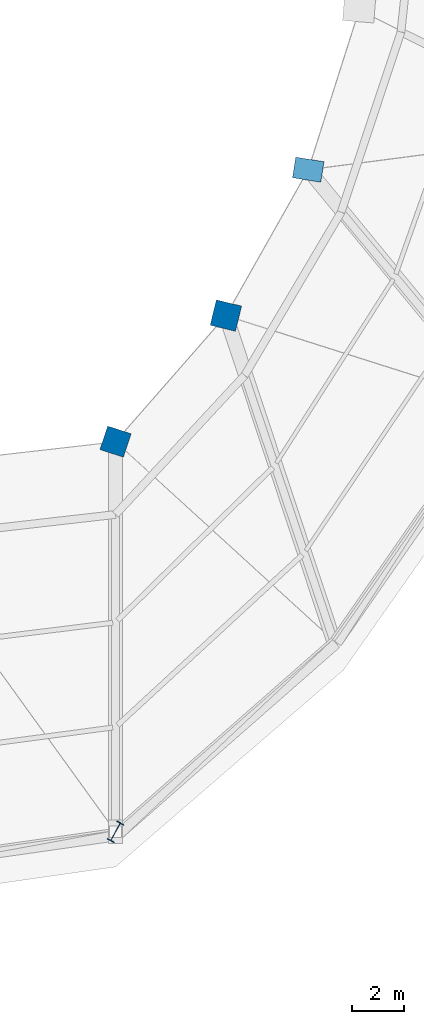
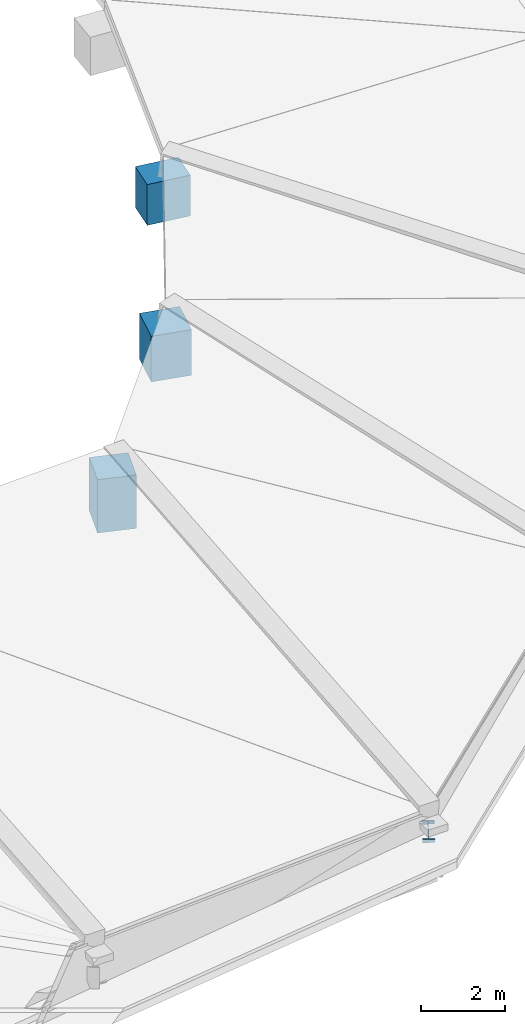
# One storey, part 5 of 67: 4 columns.
"""IFC4 building model written with IfcOpenShell, lengths in metres."""

from ifc_helpers import new_model, si_unit, direction, frame, origin, origin_2d, place, context, subcontext, project, spatial, rectangle, i_section, extrude, material, material_profile, profile_set, type_object, element, save


model = new_model("IFC4")

# Units and contexts
model_context = context("Model", 3, precision=1e-05, world=origin(), true_north=direction((0.0, 1.0)))
body_context = subcontext(model_context, "Body", "Model", "MODEL_VIEW")
ifc_project = project(units=[si_unit("LENGTHUNIT", "METRE"), si_unit("AREAUNIT", "SQUARE_METRE"), si_unit("VOLUMEUNIT", "CUBIC_METRE"), si_unit("PLANEANGLEUNIT", "RADIAN"), si_unit("MASSUNIT", "GRAM", prefix="KILO")], contexts=[model_context])

# Site, building, storey
site_placement = place(None, origin())
site = spatial("IfcSite", under=ifc_project, at=site_placement, CompositionType="ELEMENT")
building_placement = place(site_placement, origin())
building = spatial("IfcBuilding", under=site, at=building_placement, Name="Sohan Crest Arena", CompositionType="ELEMENT")
storey_placement = place(building_placement, frame((0.0, 0.0, 22.5)))
storey = spatial("IfcBuildingStorey", under=building, at=storey_placement, Name="L05", CompositionType="ELEMENT", Elevation=22.5)

# Columns
ifc_material_1 = material(Name="Concrete C40/50", Category="concrete")
ifc_material_profile_1 = material_profile(ifc_material_1, rectangle(XDim=0.949951171875, YDim=0.949951171875, at=origin_2d()), Name="RC 950x950")
ifc_profile_set_1 = profile_set([ifc_material_profile_1], Name="Concrete C40/50")
column_type_1 = type_object("IfcColumnType", Name="STR-COL-C08", PredefinedType="COLUMN", material=ifc_profile_set_1)
column_1_placement = place(storey_placement, frame((168.0, 55.0, 0.0), z_axis=(0.0, 0.0, 1.0), x_axis=(-0.949972051525, 0.312334918512, 0.0)))
element("IfcColumn", 1, at=column_1_placement, inside=storey, type_object=column_type_1, Name="Structural column COL-V1R-20-L05", PredefinedType="COLUMN", context=body_context, shape_type="SweptSolid", body=[
    extrude(rectangle(XDim=0.949951171875, YDim=0.949951171875, at=origin_2d()), origin(), (0.0, 0.0, 1.0), 1.549072265625),
])
ifc_material_profile_2 = material_profile(ifc_material_1, rectangle(XDim=1.0, YDim=1.0, at=origin_2d()), Name="RC 1000x1000")
ifc_profile_set_2 = profile_set([ifc_material_profile_2], Name="Concrete C40/50")
column_type_2 = type_object("IfcColumnType", Name="STR-COL-C09", PredefinedType="COLUMN", material=ifc_profile_set_2)
column_2_placement = place(storey_placement, frame((172.242919921875, 59.845947265625, 0.0), z_axis=(0.0, 0.0, 1.0), x_axis=(-0.971549119998, 0.236838146066, 0.0)))
element("IfcColumn", 2, at=column_2_placement, inside=storey, type_object=column_type_2, Name="Structural column COL-V1R-21-L05", PredefinedType="COLUMN", context=body_context, shape_type="SweptSolid", body=[
    extrude(rectangle(XDim=1.0, YDim=1.0, at=origin_2d()), origin(), (0.0, 0.0, 1.0), 1.324951171875),
])
ifc_material_profile_3 = material_profile(ifc_material_1, rectangle(XDim=1.10009765625, YDim=0.800048828125, at=origin_2d()), Name="RC 1100x800")
ifc_profile_set_3 = profile_set([ifc_material_profile_3], Name="Concrete C40/50")
column_type_3 = type_object("IfcColumnType", Name="STR-COL-C10", PredefinedType="COLUMN", material=ifc_profile_set_3)
column_3_placement = place(storey_placement, frame((175.408935546875, 65.455078125, 0.0), z_axis=(0.0, 0.0, 1.0), x_axis=(-0.987136265073, 0.159881187692, 0.0)))
element("IfcColumn", 3, at=column_3_placement, inside=storey, type_object=column_type_3, Name="Structural column COL-V1R-22-L05", PredefinedType="COLUMN", context=body_context, shape_type="SweptSolid", body=[
    extrude(rectangle(XDim=1.10009765625, YDim=0.800048828125, at=origin_2d()), origin(), (0.0, 0.0, 1.0), 1.18310546875),
])
ifc_material_2 = material(Name="Steel S355", Category="steel")
ifc_material_profile_4 = material_profile(ifc_material_2, i_section(OverallWidth=0.300048828125, OverallDepth=0.800048828125, WebThickness=0.017578125, FlangeThickness=0.032958984375, at=origin_2d()), Name="HEB 800")
ifc_profile_set_4 = profile_set([ifc_material_profile_4], Name="Steel S355")
column_type_4 = type_object("IfcColumnType", Name="STR-COL-C22", PredefinedType="COLUMN", material=ifc_profile_set_4)
column_4_placement = place(storey_placement, frame((168.0, 40.0, 0.0), z_axis=(0.0, 0.0, 1.0), x_axis=(-0.878817112662, 0.47715876026, 0.0)))
element("IfcColumn", 4, at=column_4_placement, inside=storey, type_object=column_type_4, Name="Structural column COL-V2O-20-L05", PredefinedType="COLUMN", context=body_context, shape_type="SweptSolid", body=[
    extrude(i_section(OverallWidth=0.300048828125, OverallDepth=0.800048828125, WebThickness=0.017578125, FlangeThickness=0.032958984375, at=origin_2d()), origin(), (0.0, 0.0, 1.0), 0.09912109375),
])

save(model, "model.ifc")
